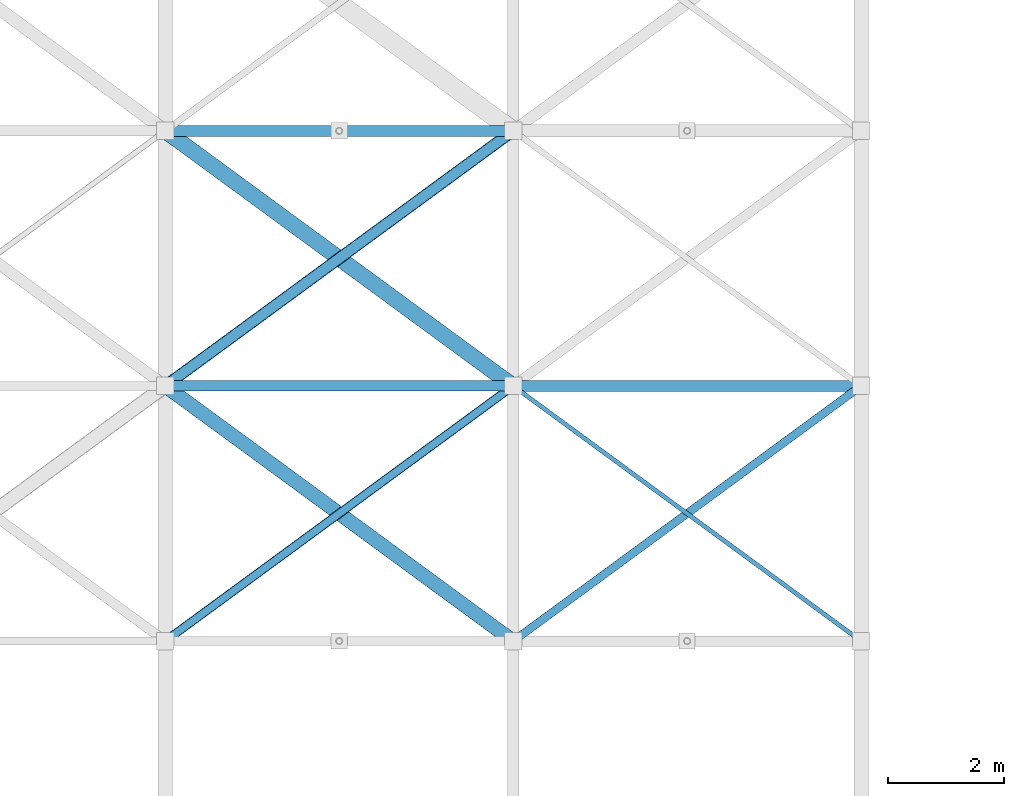
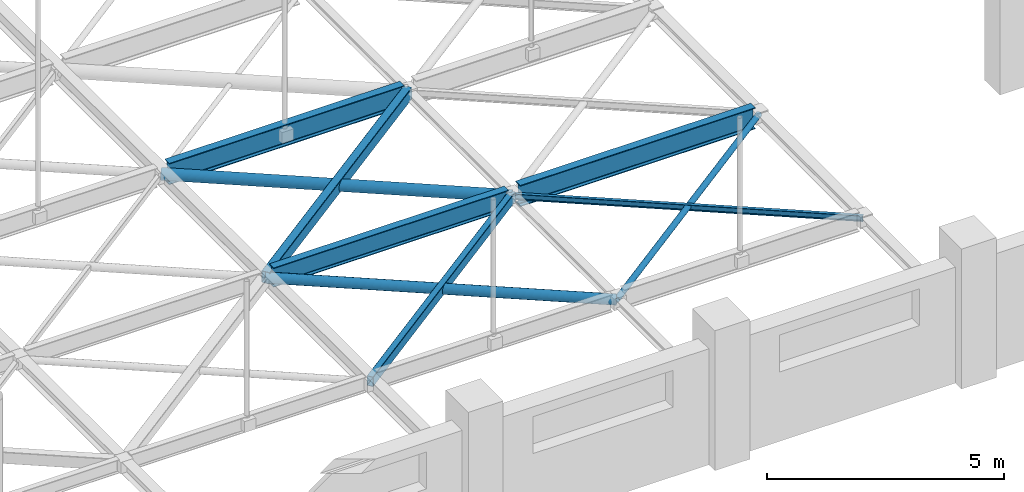
# One storey, part 38 of 93: 6 members, 3 beams.
"""IFC4 building model written with IfcOpenShell, lengths in metres."""

import ifcopenshell
import ifcopenshell.guid

model = None  # the IFC model being written
_history = None  # IfcOwnerHistory: only IFC2X3 demands one
_inside = {}  # id of a spatial element -> (the spatial element, [elements in it])
_under = {}  # id of a project, library or spatial element -> (it, [spatial elements below it])
_declared = {}  # id of a project -> (the project, [libraries it declares])
_typed = {}  # id of a type object -> (the type object, [elements of that type])
_made_of = {}  # id of a material, layer set ... -> (it, [elements and type objects made of it])


def new_model(schema):
    """Start an empty IFC model of exactly this schema.

    Asked for "IFC4X3", IfcOpenShell would pick the latest addendum, in which some entities
    have other attributes; the version numbers below select the first issue.
    IFC2X3 requires an IfcOwnerHistory on every rooted entity: one is made here for all.
    """
    global model, _history
    if schema == "IFC4X3":
        model = ifcopenshell.file(schema_version=(4, 3, 0, 0))
    else:
        model = ifcopenshell.file(schema=schema)
    _inside.clear()
    _under.clear()
    _declared.clear()
    _typed.clear()
    _made_of.clear()
    _history = None
    if model.schema == "IFC2X3":
        org = make("IfcOrganization", Name="unknown")
        user = make(
            "IfcPersonAndOrganization",
            ThePerson=make("IfcPerson", FamilyName="unknown"),
            TheOrganization=org,
        )
        app = make(
            "IfcApplication",
            ApplicationDeveloper=org,
            Version="unknown",
            ApplicationFullName="unknown",
            ApplicationIdentifier="unknown",
        )
        _history = make(
            "IfcOwnerHistory",
            OwningUser=user,
            OwningApplication=app,
            ChangeAction="ADDED",
            CreationDate=0,
        )
    return model


def make(cls, **values):
    """One entity of the class cls with the attributes given. An attribute that is None is left unset."""
    return model.create_entity(
        cls, **{name: value for name, value in values.items() if value is not None}
    )


def rooted(cls, **values):
    """An entity with a GlobalId (a new one), such as an element, a storey or a relation."""
    return make(cls, GlobalId=ifcopenshell.guid.new(), OwnerHistory=_history, **values)


def si_unit(unit_type, name, prefix=None):
    """IfcSIUnit, for example si_unit("LENGTHUNIT", "METRE", prefix="MILLI")."""
    return make("IfcSIUnit", UnitType=unit_type, Prefix=prefix, Name=name)


def assignment(units):
    """IfcUnitAssignment: the units of a project."""
    return None if units is None else make("IfcUnitAssignment", Units=units)


def point(xyz):
    """IfcCartesianPoint."""
    return None if xyz is None else make("IfcCartesianPoint", Coordinates=xyz)


def direction(xyz):
    """IfcDirection."""
    return None if xyz is None else make("IfcDirection", DirectionRatios=xyz)


def frame(location, z_axis=None, x_axis=None):
    """IfcAxis2Placement3D, a coordinate frame: its origin and axes. An axis left out is left unset."""
    return make(
        "IfcAxis2Placement3D",
        Location=point(location),
        Axis=direction(z_axis),
        RefDirection=direction(x_axis),
    )


def frame_2d(location, x_axis=None):
    """IfcAxis2Placement2D, a coordinate frame in the plane: its origin and x axis."""
    return make(
        "IfcAxis2Placement2D", Location=point(location), RefDirection=direction(x_axis)
    )


def origin():
    """The frame at (0, 0, 0) with its axes left unset."""
    return frame((0.0, 0.0, 0.0))


def origin_2d():
    """The frame at (0, 0) in the plane with its x axis left unset."""
    return frame_2d((0.0, 0.0))


def place(relative_to, where):
    """IfcLocalPlacement: puts the frame where relative to a parent placement (None: the world)."""
    return make(
        "IfcLocalPlacement", PlacementRelTo=relative_to, RelativePlacement=where
    )


def context(
    kind, dimensions, precision=None, world=None, true_north=None, identifier=None
):
    """IfcGeometricRepresentationContext, for example the 3D "Model" context."""
    return make(
        "IfcGeometricRepresentationContext",
        ContextIdentifier=identifier,
        ContextType=kind,
        CoordinateSpaceDimension=dimensions,
        Precision=precision,
        WorldCoordinateSystem=world,
        TrueNorth=true_north,
    )


def subcontext(parent, identifier, kind, view, scale=None):
    """IfcGeometricRepresentationSubContext, for example "Body" below "Model"."""
    return make(
        "IfcGeometricRepresentationSubContext",
        ContextIdentifier=identifier,
        ContextType=kind,
        ParentContext=parent,
        TargetScale=scale,
        TargetView=view,
    )


def project(units=None, contexts=None):
    """IfcProject with its units and contexts."""
    return rooted(
        "IfcProject",
        Name="project",
        RepresentationContexts=contexts,
        UnitsInContext=assignment(units),
    )


def spatial(cls, under=None, at=None, **own):
    """A site, building, storey or space (cls), placed at a placement, below another one or the project."""
    s = rooted(cls, ObjectPlacement=at, **own)
    if under is not None:
        _under.setdefault(under.id(), (under, []))[1].append(s)
    return s


def profile(cls, at=None, kind="AREA", **sizes):
    """A parametric profile (cls). Its sizes go by their IFC names, for example OverallWidth=200.0."""
    return make(cls, ProfileType=kind, Position=at, **sizes)


def hollow_rectangle(**sizes):
    """IfcRectangleHollowProfileDef."""
    return profile("IfcRectangleHollowProfileDef", **sizes)


def hollow_circle(**sizes):
    """IfcCircleHollowProfileDef."""
    return profile("IfcCircleHollowProfileDef", **sizes)


def i_section(**sizes):
    """IfcIShapeProfileDef."""
    return profile("IfcIShapeProfileDef", **sizes)


def extrude(swept, where, along, depth):
    """IfcExtrudedAreaSolid: the profile swept, set in the frame where, extruded along a direction by depth."""
    return make(
        "IfcExtrudedAreaSolid",
        SweptArea=swept,
        Position=where,
        ExtrudedDirection=direction(along),
        Depth=depth,
    )


def shape(context_of_items, identifier, shape_type, items):
    """IfcShapeRepresentation: the items that make up one representation, for example the "Body"."""
    return make(
        "IfcShapeRepresentation",
        ContextOfItems=context_of_items,
        RepresentationIdentifier=identifier,
        RepresentationType=shape_type,
        Items=items,
    )


def material(Name=None, Category=None):
    """IfcMaterial."""
    return make("IfcMaterial", Name=Name, Category=Category)


def material_profile(
    of_material, cross_section, Name=None, Category=None, Priority=None
):
    """IfcMaterialProfile: a cross section and its material."""
    return make(
        "IfcMaterialProfile",
        Name=Name,
        Material=of_material,
        Profile=cross_section,
        Priority=Priority,
        Category=Category,
    )


def profile_set(profiles, Name=None, composite=None):
    """IfcMaterialProfileSet."""
    return make(
        "IfcMaterialProfileSet",
        Name=Name,
        MaterialProfiles=profiles,
        CompositeProfile=composite,
    )


def made_of(thing, what):
    """Note that an element or type object is made of a material, layer set ...; save() writes the relation."""
    if what is not None:
        _made_of.setdefault(what.id(), (what, []))[1].append(thing)
    return thing


def type_object(cls, material=None, **own):
    """A type object (cls), such as IfcWallType, which elements share."""
    return made_of(rooted(cls, **own), material)


def element(
    cls,
    number,
    at=None,
    inside=None,
    cuts=None,
    type_object=None,
    material=None,
    context=None,
    identifier="Body",
    shape_type=None,
    held_by="IfcProductDefinitionShape",
    body=None,
    shapes=None,
    **own,
):
    """One element of the class cls, such as IfcWall. Its Tag is "e" and its number.

    at: its placement. inside: the storey or other place that contains it. cuts: it is an
    opening in that element (IfcRelVoidsElement). A single representation is given by context,
    identifier, shape_type and body (its items); several are given by shapes. held_by: the class
    of the entity that holds the representations. save() writes the other relations.
    """
    e = rooted(cls, Tag="e%d" % number, ObjectPlacement=at, **own)
    if body is not None:
        shapes = [shape(context, identifier, shape_type, body)]
    if shapes is not None:
        e.Representation = make(held_by, Representations=shapes)
    if inside is not None:
        _inside.setdefault(inside.id(), (inside, []))[1].append(e)
    if cuts is not None:
        rooted(
            "IfcRelVoidsElement", RelatingBuildingElement=cuts, RelatedOpeningElement=e
        )
    if type_object is not None:
        _typed.setdefault(type_object.id(), (type_object, []))[1].append(e)
    return made_of(e, material)


def aggregate(whole, parts):
    """IfcRelAggregates: a whole, such as a stair, and the parts it consists of."""
    return rooted("IfcRelAggregates", RelatingObject=whole, RelatedObjects=parts)


def save(model, path):
    """Write the relations noted so far, then the file.

    IfcRelAggregates (storeys below a building ...), IfcRelContainedInSpatialStructure (elements
    in a storey), IfcRelDefinesByType, IfcRelAssociatesMaterial and IfcRelDeclares: one each for
    every whole, place, type object, material and project.
    """
    for whole, parts in _under.values():
        aggregate(whole, parts)
    for where, things in _inside.values():
        rooted(
            "IfcRelContainedInSpatialStructure",
            RelatedElements=things,
            RelatingStructure=where,
        )
    for kind, things in _typed.values():
        rooted("IfcRelDefinesByType", RelatedObjects=things, RelatingType=kind)
    for what, things in _made_of.values():
        rooted("IfcRelAssociatesMaterial", RelatedObjects=things, RelatingMaterial=what)
    for by, libraries in _declared.values():
        rooted("IfcRelDeclares", RelatingContext=by, RelatedDefinitions=libraries)
    model.write(path)


model = new_model("IFC4")

# Units and contexts
model_context = context("Model", 3, precision=1e-05, world=origin(), true_north=direction((0.0, 1.0)))
body_context = subcontext(model_context, "Body", "Model", "MODEL_VIEW")
ifc_project = project(units=[si_unit("LENGTHUNIT", "METRE"), si_unit("AREAUNIT", "SQUARE_METRE"), si_unit("VOLUMEUNIT", "CUBIC_METRE"), si_unit("PLANEANGLEUNIT", "RADIAN"), si_unit("MASSUNIT", "GRAM", prefix="KILO")], contexts=[model_context])

# Site, building, storey
site_placement = place(None, origin())
site = spatial("IfcSite", under=ifc_project, at=site_placement, CompositionType="ELEMENT")
building_placement = place(site_placement, origin())
building = spatial("IfcBuilding", under=site, at=building_placement, Name="Varnakota Cinema and Media Centre", CompositionType="ELEMENT")
storey_placement = place(building_placement, frame((0.0, 0.0, 12.0)))
storey = spatial("IfcBuildingStorey", under=building, at=storey_placement, Name="L03", CompositionType="ELEMENT", Elevation=12.0)

# Beams
ifc_material_1 = material(Name="Structural steel Grade 350 (E350)", Category="steel")
ifc_material_profile_1 = material_profile(ifc_material_1, i_section(OverallWidth=0.179931640625, OverallDepth=0.5, WebThickness=0.01025390625, FlangeThickness=0.01708984375, FilletRadius=0.01708984375, at=origin_2d()), Name="ISMB 500")
ifc_profile_set_1 = profile_set([ifc_material_profile_1], Name="Structural steel Grade 350 (E350)")
beam_type_1 = type_object("IfcBeamType", Name="BM-ST-ISMB500", PredefinedType="BEAM", material=ifc_profile_set_1)
beam_placement = place(storey_placement, frame((117.139892578125, 8.800048828125, 1.300048828125), z_axis=(1.0, 0.0, 0.0), x_axis=(0.0, 1.0, 0.0)))
element("IfcBeam", 1, at=beam_placement, inside=storey, type_object=beam_type_1, Name="V1 rigging beam 8.2", PredefinedType="BEAM", context=body_context, shape_type="SweptSolid", body=[
    extrude(i_section(OverallWidth=0.179931640625, OverallDepth=0.5, WebThickness=0.01025390625, FlangeThickness=0.01708984375, FilletRadius=0.01708984375, at=origin_2d()), origin(), (0.0, 0.0, 1.0), 5.72021484375),
])
ifc_material_2 = material(Name="Structural steel Grade 350 (E350)", Category="steel")
ifc_material_profile_2 = material_profile(ifc_material_2, i_section(OverallWidth=0.18994140625, OverallDepth=0.550048828125, WebThickness=0.01123046875, FlangeThickness=0.019287109375, FilletRadius=0.01806640625, at=origin_2d()), Name="ISMB 550")
ifc_profile_set_2 = profile_set([ifc_material_profile_2], Name="Structural steel Grade 350 (E350)")
beam_type_2 = type_object("IfcBeamType", Name="BM-ST-ISMB550", PredefinedType="BEAM", material=ifc_profile_set_2)
for number, where, z_axis, x_axis, name in (
    (2, (117.139892578125, 13.199951171875, 1.300048828125), (1.0, 0.0, 0.0), (0.0, 1.0, 0.0), "V1 rigging beam 8.3"),
    (3, (123.139892578125, 8.800048828125, 1.300048828125), (1.0, 0.0, 0.0), (0.0, 1.0, 0.0), "V1 rigging beam 9.2"),
):
    element("IfcBeam", number, at=place(storey_placement, frame(where, z_axis=z_axis, x_axis=x_axis)), inside=storey, type_object=beam_type_2, Name=name, PredefinedType="BEAM", context=body_context, shape_type="SweptSolid", body=[
        extrude(i_section(OverallWidth=0.18994140625, OverallDepth=0.550048828125, WebThickness=0.01123046875, FlangeThickness=0.019287109375, FilletRadius=0.01806640625, at=origin_2d()), origin(), (0.0, 0.0, 1.0), 5.72021484375),
    ])

# Members
ifc_material_3 = material(Name="Structural steel S355 (YSt 355)", Category="steel")
ifc_material_profile_3 = material_profile(ifc_material_3, hollow_circle(Radius=0.06982421875, WallThickness=0.006103515625, at=origin_2d()), Name="CHS 139.7x6.0")
ifc_profile_set_3 = profile_set([ifc_material_profile_3], Name="Structural steel S355 (YSt 355)")
member_type_1 = type_object("IfcMemberType", Name="MEM-ST-CHS139_7x6_0", PredefinedType="CHORD", material=ifc_profile_set_3)
member_1_placement = place(storey_placement, frame((123.0, 4.39990234375, 1.300048828125), z_axis=(0.806395607258, 0.591376466048, 0.0), x_axis=(-0.591376466048, 0.806395607258, 0.0)))
element("IfcMember", 4, at=member_1_placement, inside=storey, type_object=member_type_1, Name="V1 rigging plan member A 9.1", PredefinedType="CHORD", context=body_context, shape_type="SweptSolid", body=[
    extrude(hollow_circle(Radius=0.06982421875, WallThickness=0.006103515625, at=origin_2d()), origin(), (0.0, 0.0, 1.0), 7.4404296875),
])
ifc_material_4 = material(Name="Structural steel S355 (YSt 355)", Category="steel")
ifc_material_profile_4 = material_profile(ifc_material_4, hollow_circle(Radius=0.122314453125, WallThickness=0.008056640625, at=origin_2d()), Name="CHS 244.5x8.0")
ifc_profile_set_4 = profile_set([ifc_material_profile_4], Name="Structural steel S355 (YSt 355)")
member_type_2 = type_object("IfcMemberType", Name="MEM-ST-CHS244_5x8_0", PredefinedType="CHORD", material=ifc_profile_set_4)
member_2_placement = place(storey_placement, frame((123.0, 4.39990234375, 1.300048828125), z_axis=(-0.806395607258, 0.591376466048, 0.0), x_axis=(-0.591376466048, -0.806395607258, 0.0)))
element("IfcMember", 5, at=member_2_placement, inside=storey, type_object=member_type_2, Name="V1 rigging plan member B 8.1", PredefinedType="CHORD", context=body_context, shape_type="SweptSolid", body=[
    extrude(hollow_circle(Radius=0.122314453125, WallThickness=0.008056640625, at=origin_2d()), origin(), (0.0, 0.0, 1.0), 7.4404296875),
])
ifc_material_5 = material(Name="Structural steel S355 (YSt 355)", Category="steel")
ifc_material_profile_5 = material_profile(ifc_material_5, hollow_circle(Radius=0.136474609375, WallThickness=0.010009765625, at=origin_2d()), Name="CHS 273.0x10.0")
ifc_profile_set_5 = profile_set([ifc_material_profile_5], Name="Structural steel S355 (YSt 355)")
member_type_3 = type_object("IfcMemberType", Name="MEM-ST-CHS273_0x10_0", PredefinedType="BRACE", material=ifc_profile_set_5)
member_3_placement = place(storey_placement, frame((123.0, 8.800048828125, 1.300048828125), z_axis=(-0.80641125493, 0.591355128432, 0.0), x_axis=(-0.591355128432, -0.80641125493, 0.0)))
element("IfcMember", 6, at=member_3_placement, inside=storey, type_object=member_type_3, Name="V1 rigging plan member B 8.2", PredefinedType="BRACE", context=body_context, shape_type="SweptSolid", body=[
    extrude(hollow_circle(Radius=0.136474609375, WallThickness=0.010009765625, at=origin_2d()), origin(), (0.0, 0.0, 1.0), 7.4404296875),
])
ifc_material_6 = material(Name="Structural steel Grade 350 (E350)", Category="steel")
ifc_material_profile_6 = material_profile(ifc_material_6, i_section(OverallWidth=0.074951171875, OverallDepth=0.14990234375, WebThickness=0.0048828125, FlangeThickness=0.008056640625, FilletRadius=0.009033203125, at=origin_2d()), Name="ISMB 150")
ifc_profile_set_6 = profile_set([ifc_material_profile_6], Name="Structural steel Grade 350 (E350)")
member_type_4 = type_object("IfcMemberType", Name="MEM-ST-ISMB150", PredefinedType="RAFTER", material=ifc_profile_set_6)
member_4_placement = place(storey_placement, frame((129.0, 4.39990234375, 1.300048828125), z_axis=(-0.806395607258, 0.591376466048, 0.0), x_axis=(-0.591376466048, -0.806395607258, 0.0)))
element("IfcMember", 7, at=member_4_placement, inside=storey, type_object=member_type_4, Name="V1 rigging plan member B 9.1", PredefinedType="RAFTER", context=body_context, shape_type="SweptSolid", body=[
    extrude(i_section(OverallWidth=0.074951171875, OverallDepth=0.14990234375, WebThickness=0.0048828125, FlangeThickness=0.008056640625, FilletRadius=0.009033203125, at=origin_2d()), origin(), (0.0, 0.0, 1.0), 7.4404296875),
])
ifc_material_7 = material(Name="Structural steel S355 (YSt 355)", Category="steel")
ifc_material_profile_7 = material_profile(ifc_material_7, hollow_rectangle(XDim=0.14990234375, YDim=0.25, WallThickness=0.008056640625, InnerFilletRadius=0.008056640625, OuterFilletRadius=0.01611328125, at=origin_2d()), Name="RHS 250x150x8")
ifc_profile_set_7 = profile_set([ifc_material_profile_7], Name="Structural steel S355 (YSt 355)")
member_type_5 = type_object("IfcMemberType", Name="MEM-ST-RHS250x150x8", PredefinedType="PURLIN", material=ifc_profile_set_7)
member_5_placement = place(storey_placement, frame((117.0, 4.39990234375, 1.300048828125), z_axis=(0.806395607258, 0.591376466048, 0.0), x_axis=(-0.591376466048, 0.806395607258, 0.0)))
element("IfcMember", 8, at=member_5_placement, inside=storey, type_object=member_type_5, Name="V1 rigging plan member A 8.1", PredefinedType="PURLIN", context=body_context, shape_type="SweptSolid", body=[
    extrude(hollow_rectangle(XDim=0.14990234375, YDim=0.25, WallThickness=0.008056640625, InnerFilletRadius=0.008056640625, OuterFilletRadius=0.01611328125, at=origin_2d()), origin(), (0.0, 0.0, 1.0), 7.4404296875),
])
ifc_material_8 = material(Name="Structural steel S355 (YSt 355)", Category="steel")
ifc_material_profile_8 = material_profile(ifc_material_8, hollow_rectangle(XDim=0.199951171875, YDim=0.300048828125, WallThickness=0.010009765625, InnerFilletRadius=0.010009765625, OuterFilletRadius=0.02001953125, at=origin_2d()), Name="RHS 300x200x10")
ifc_profile_set_8 = profile_set([ifc_material_profile_8], Name="Structural steel S355 (YSt 355)")
member_type_6 = type_object("IfcMemberType", Name="MEM-ST-RHS300x200x10", PredefinedType="PURLIN", material=ifc_profile_set_8)
member_6_placement = place(storey_placement, frame((117.0, 8.800048828125, 1.300048828125), z_axis=(0.80641125493, 0.591355128432, 0.0), x_axis=(-0.591355128432, 0.80641125493, 0.0)))
element("IfcMember", 9, at=member_6_placement, inside=storey, type_object=member_type_6, Name="V1 rigging plan member A 8.2", PredefinedType="PURLIN", context=body_context, shape_type="SweptSolid", body=[
    extrude(hollow_rectangle(XDim=0.199951171875, YDim=0.300048828125, WallThickness=0.010009765625, InnerFilletRadius=0.010009765625, OuterFilletRadius=0.02001953125, at=origin_2d()), origin(), (0.0, 0.0, 1.0), 7.4404296875),
])

save(model, "model.ifc")
